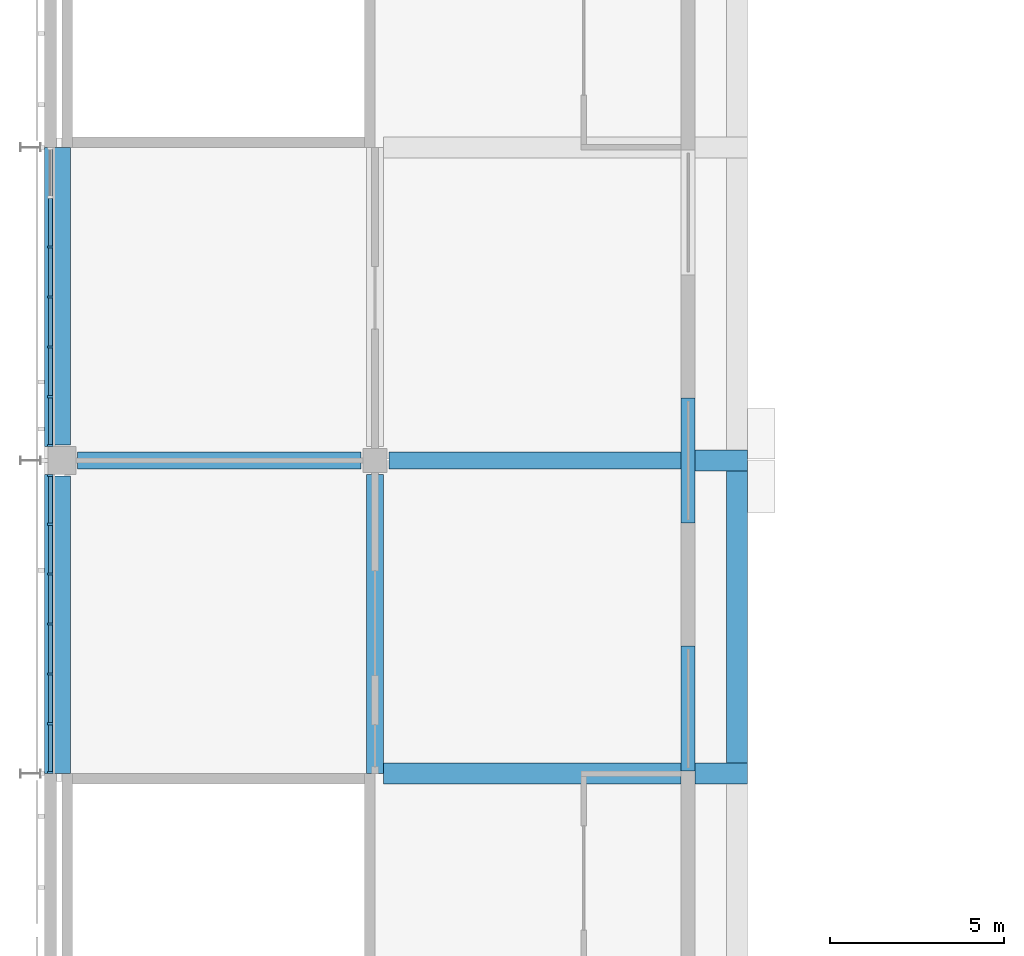
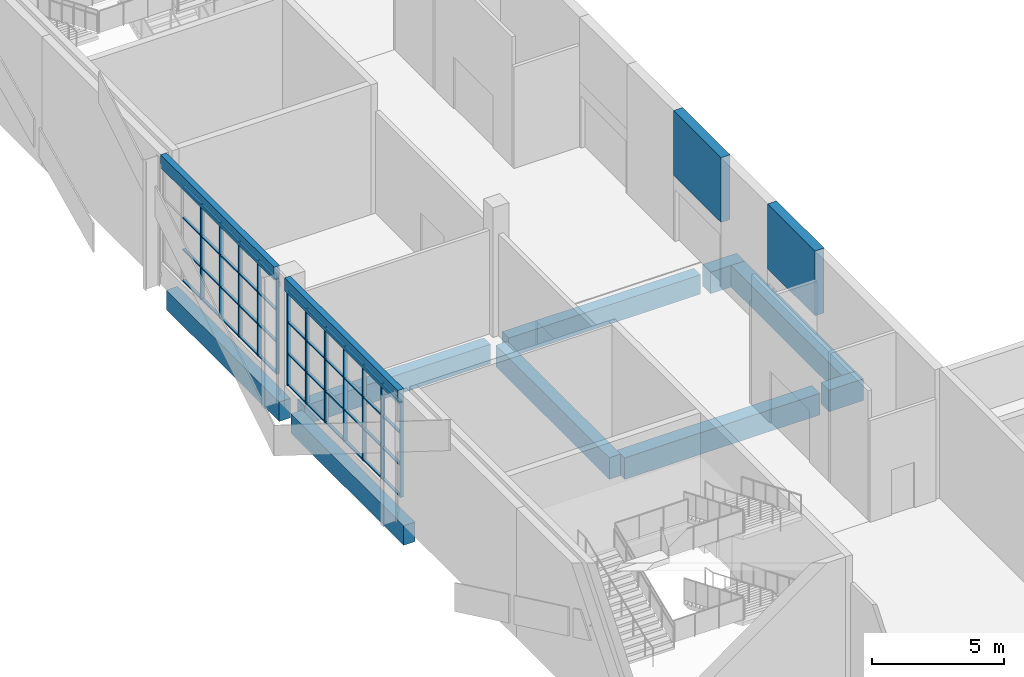
# One storey, part 14 of 89: 56 members, 13 beams, 2 elements without a shape of their own.
"""IFC4 building model written with IfcOpenShell, lengths in metres."""

from ifc_helpers import new_model, si_unit, direction, frame, origin, origin_2d, place, context, subcontext, project, spatial, rectangle, extrude, material, material_profile, profile_set, type_object, element, aggregate, save


model = new_model("IFC4")

# Units and contexts
model_context = context("Model", 3, precision=1e-05, world=origin(), true_north=direction((0.0, 1.0)))
body_context = subcontext(model_context, "Body", "Model", "MODEL_VIEW")
ifc_project = project(units=[si_unit("LENGTHUNIT", "METRE"), si_unit("AREAUNIT", "SQUARE_METRE"), si_unit("VOLUMEUNIT", "CUBIC_METRE"), si_unit("PLANEANGLEUNIT", "RADIAN"), si_unit("MASSUNIT", "GRAM", prefix="KILO")], contexts=[model_context])

# Site, building, storey
site_placement = place(None, origin())
site = spatial("IfcSite", under=ifc_project, at=site_placement, CompositionType="ELEMENT")
building_placement = place(site_placement, origin())
building = spatial("IfcBuilding", under=site, at=building_placement, Name="Silverbay Arena", CompositionType="ELEMENT")
storey_placement = place(building_placement, frame((0.0, 0.0, 22.0)))
storey = spatial("IfcBuildingStorey", under=building, at=storey_placement, Name="L03", CompositionType="ELEMENT", Elevation=22.0)

# Curtain wall, members
ifc_material_1 = material(Name="Aluminium framed curtain wall", Category="aluminium")
curtain_wall_type = type_object("IfcCurtainWallType", Name="Curtain wall 8600 x 4400", PredefinedType="NOTDEFINED", material=ifc_material_1)
curtain_wall_1_placement = place(storey_placement, origin())
curtain_wall_1 = element("IfcCurtainWall", 1, at=curtain_wall_1_placement, inside=storey, type_object=curtain_wall_type, Name="West curtain wall L03 bay 7", PredefinedType="NOTDEFINED")
ifc_material_2 = material(Name="Aluminium", Category="aluminium")
ifc_material_profile_1 = material_profile(ifc_material_2, rectangle(XDim=0.159912109375, YDim=0.06005859375, at=origin_2d()), Name="Mullion 60 x 160")
ifc_profile_set_1 = profile_set([ifc_material_profile_1], Name="Aluminium")
member_type_1 = type_object("IfcMemberType", Name="Mullion 60 x 160", PredefinedType="MULLION", material=ifc_profile_set_1)
member_1_placement = place(storey_placement, frame((53.669921875, 80.570068359375, 1.0), z_axis=(0.0, 0.0, 1.0), x_axis=(1.0, 0.0, 0.0)))
member_1 = element("IfcMember", 2, at=member_1_placement, type_object=member_type_1, Name="CW12 mullion 1", PredefinedType="MULLION", context=body_context, shape_type="SweptSolid", body=[
    extrude(rectangle(XDim=0.159912109375, YDim=0.06005859375, at=origin_2d()), origin(), (0.0, 0.0, 1.0), 4.39990234375),
])
member_2_placement = place(storey_placement, frame((53.669921875, 79.166748046875, 1.0), z_axis=(0.0, 0.0, 1.0), x_axis=(1.0, 0.0, 0.0)))
member_2 = element("IfcMember", 3, at=member_2_placement, type_object=member_type_1, Name="CW12 mullion 2", PredefinedType="MULLION", context=body_context, shape_type="SweptSolid", body=[
    extrude(rectangle(XDim=0.159912109375, YDim=0.06005859375, at=origin_2d()), origin(), (0.0, 0.0, 1.0), 4.39990234375),
])
member_3_placement = place(storey_placement, frame((53.669921875, 77.7333984375, 1.0), z_axis=(0.0, 0.0, 1.0), x_axis=(1.0, 0.0, 0.0)))
member_3 = element("IfcMember", 4, at=member_3_placement, type_object=member_type_1, Name="CW12 mullion 3", PredefinedType="MULLION", context=body_context, shape_type="SweptSolid", body=[
    extrude(rectangle(XDim=0.159912109375, YDim=0.06005859375, at=origin_2d()), origin(), (0.0, 0.0, 1.0), 4.39990234375),
])
member_4_placement = place(storey_placement, frame((53.669921875, 76.300048828125, 1.0), z_axis=(0.0, 0.0, 1.0), x_axis=(1.0, 0.0, 0.0)))
member_4 = element("IfcMember", 5, at=member_4_placement, type_object=member_type_1, Name="CW12 mullion 4", PredefinedType="MULLION", context=body_context, shape_type="SweptSolid", body=[
    extrude(rectangle(XDim=0.159912109375, YDim=0.06005859375, at=origin_2d()), origin(), (0.0, 0.0, 1.0), 4.39990234375),
])
member_5_placement = place(storey_placement, frame((53.669921875, 74.86669921875, 1.0), z_axis=(0.0, 0.0, 1.0), x_axis=(1.0, 0.0, 0.0)))
member_5 = element("IfcMember", 6, at=member_5_placement, type_object=member_type_1, Name="CW12 mullion 5", PredefinedType="MULLION", context=body_context, shape_type="SweptSolid", body=[
    extrude(rectangle(XDim=0.159912109375, YDim=0.06005859375, at=origin_2d()), origin(), (0.0, 0.0, 1.0), 4.39990234375),
])
member_6_placement = place(storey_placement, frame((53.669921875, 73.433349609375, 1.0), z_axis=(0.0, 0.0, 1.0), x_axis=(1.0, 0.0, 0.0)))
member_6 = element("IfcMember", 7, at=member_6_placement, type_object=member_type_1, Name="CW12 mullion 6", PredefinedType="MULLION", context=body_context, shape_type="SweptSolid", body=[
    extrude(rectangle(XDim=0.159912109375, YDim=0.06005859375, at=origin_2d()), origin(), (0.0, 0.0, 1.0), 4.39990234375),
])
member_7_placement = place(storey_placement, frame((53.669921875, 72.030029296875, 1.0), z_axis=(0.0, 0.0, 1.0), x_axis=(1.0, 0.0, 0.0)))
member_7 = element("IfcMember", 8, at=member_7_placement, type_object=member_type_1, Name="CW12 mullion 7", PredefinedType="MULLION", context=body_context, shape_type="SweptSolid", body=[
    extrude(rectangle(XDim=0.159912109375, YDim=0.06005859375, at=origin_2d()), origin(), (0.0, 0.0, 1.0), 4.39990234375),
])

curtain_wall_2_placement = place(storey_placement, origin())
curtain_wall_2 = element("IfcCurtainWall", 9, at=curtain_wall_2_placement, inside=storey, type_object=curtain_wall_type, Name="West curtain wall L03 bay 8", PredefinedType="NOTDEFINED")
member_8_placement = place(storey_placement, frame((53.669921875, 87.13330078125, 1.0), z_axis=(0.0, 0.0, 1.0), x_axis=(1.0, 0.0, 0.0)))
member_8 = element("IfcMember", 10, at=member_8_placement, type_object=member_type_1, Name="CW12 mullion 3", PredefinedType="MULLION", context=body_context, shape_type="SweptSolid", body=[
    extrude(rectangle(XDim=0.159912109375, YDim=0.06005859375, at=origin_2d()), origin(), (0.0, 0.0, 1.0), 4.39990234375),
])
member_9_placement = place(storey_placement, frame((53.669921875, 85.699951171875, 1.0), z_axis=(0.0, 0.0, 1.0), x_axis=(1.0, 0.0, 0.0)))
member_9 = element("IfcMember", 11, at=member_9_placement, type_object=member_type_1, Name="CW12 mullion 4", PredefinedType="MULLION", context=body_context, shape_type="SweptSolid", body=[
    extrude(rectangle(XDim=0.159912109375, YDim=0.06005859375, at=origin_2d()), origin(), (0.0, 0.0, 1.0), 4.39990234375),
])
member_10_placement = place(storey_placement, frame((53.669921875, 84.2666015625, 1.0), z_axis=(0.0, 0.0, 1.0), x_axis=(1.0, 0.0, 0.0)))
member_10 = element("IfcMember", 12, at=member_10_placement, type_object=member_type_1, Name="CW12 mullion 5", PredefinedType="MULLION", context=body_context, shape_type="SweptSolid", body=[
    extrude(rectangle(XDim=0.159912109375, YDim=0.06005859375, at=origin_2d()), origin(), (0.0, 0.0, 1.0), 4.39990234375),
])
member_11_placement = place(storey_placement, frame((53.669921875, 82.833251953125, 1.0), z_axis=(0.0, 0.0, 1.0), x_axis=(1.0, 0.0, 0.0)))
member_11 = element("IfcMember", 13, at=member_11_placement, type_object=member_type_1, Name="CW12 mullion 6", PredefinedType="MULLION", context=body_context, shape_type="SweptSolid", body=[
    extrude(rectangle(XDim=0.159912109375, YDim=0.06005859375, at=origin_2d()), origin(), (0.0, 0.0, 1.0), 4.39990234375),
])
member_12_placement = place(storey_placement, frame((53.669921875, 81.429931640625, 1.0), z_axis=(0.0, 0.0, 1.0), x_axis=(1.0, 0.0, 0.0)))
member_12 = element("IfcMember", 14, at=member_12_placement, type_object=member_type_1, Name="CW12 mullion 7", PredefinedType="MULLION", context=body_context, shape_type="SweptSolid", body=[
    extrude(rectangle(XDim=0.159912109375, YDim=0.06005859375, at=origin_2d()), origin(), (0.0, 0.0, 1.0), 4.39990234375),
])

# Beams
ifc_material_3 = material(Name="Concrete Grade C45", Category="concrete")
ifc_material_profile_2 = material_profile(ifc_material_3, rectangle(XDim=0.5, YDim=1.0, at=origin_2d()), Name="RC 500x1000")
ifc_profile_set_2 = profile_set([ifc_material_profile_2], Name="Concrete Grade C45")
beam_type_1 = type_object("IfcBeamType", Name="RC beam 500x1000", PredefinedType="BEAM", material=ifc_profile_set_2)
beam_1_placement = place(storey_placement, frame((63.0, 72.0, -0.85009765625), z_axis=(0.0, 1.0, 0.0), x_axis=(-1.0, 0.0, 0.0)))
element("IfcBeam", 15, at=beam_1_placement, inside=storey, type_object=beam_type_1, Name="Floor beam L03 094", PredefinedType="BEAM", context=body_context, shape_type="SweptSolid", body=[
    extrude(rectangle(XDim=0.5, YDim=1.0, at=origin_2d()), origin(), (0.0, 0.0, 1.0), 8.60009765625),
])
ifc_material_4 = material(Name="Concrete Grade C45", Category="concrete")
ifc_material_profile_3 = material_profile(ifc_material_4, rectangle(XDim=0.5, YDim=0.89990234375, at=origin_2d()), Name="RC 500x900")
ifc_profile_set_3 = profile_set([ifc_material_profile_3], Name="Concrete Grade C45")
beam_type_2 = type_object("IfcBeamType", Name="RC beam 500x900", PredefinedType="BEAM", material=ifc_profile_set_3)
beam_2_placement = place(storey_placement, frame((54.449951171875, 81.0, -0.800048828125), z_axis=(1.0, 0.0, 0.0), x_axis=(0.0, 1.0, 0.0)))
element("IfcBeam", 16, at=beam_2_placement, inside=storey, type_object=beam_type_2, Name="Floor beam L03 039", PredefinedType="BEAM", context=body_context, shape_type="SweptSolid", body=[
    extrude(rectangle(XDim=0.5, YDim=0.89990234375, at=origin_2d()), origin(), (0.0, 0.0, 1.0), 8.150146484375),
])
beam_3_placement = place(storey_placement, frame((63.39990234375, 81.0, -0.800048828125), z_axis=(1.0, 0.0, 0.0), x_axis=(0.0, 1.0, 0.0)))
element("IfcBeam", 17, at=beam_3_placement, inside=storey, type_object=beam_type_2, Name="Floor beam L03 040", PredefinedType="BEAM", context=body_context, shape_type="SweptSolid", body=[
    extrude(rectangle(XDim=0.5, YDim=0.89990234375, at=origin_2d()), origin(), (0.0, 0.0, 1.0), 8.400146484375),
])
for number, where, z_axis, x_axis, name in (
    (18, (54.0, 72.0, -0.800048828125), (0.0, 1.0, 0.0), (-1.0, 0.0, 0.0), "Floor beam L03 086"),
    (19, (54.0, 81.449951171875, -0.800048828125), (0.0, 1.0, 0.0), (-1.0, 0.0, 0.0), "Floor beam L03 087"),
):
    element("IfcBeam", number, at=place(storey_placement, frame(where, z_axis=z_axis, x_axis=x_axis)), inside=storey, type_object=beam_type_2, Name=name, PredefinedType="BEAM", context=body_context, shape_type="SweptSolid", body=[
        extrude(rectangle(XDim=0.5, YDim=0.89990234375, at=origin_2d()), origin(), (0.0, 0.0, 1.0), 8.550048828125),
    ])
ifc_material_5 = material(Name="Concrete Grade C45", Category="concrete")
ifc_material_profile_4 = material_profile(ifc_material_5, rectangle(XDim=0.60009765625, YDim=1.0, at=origin_2d()), Name="RC 600x1000")
ifc_profile_set_4 = profile_set([ifc_material_profile_4], Name="Concrete Grade C45")
beam_type_3 = type_object("IfcBeamType", Name="RC beam 600x1000", PredefinedType="BEAM", material=ifc_profile_set_4)
beam_4_placement = place(storey_placement, frame((63.25, 72.0, -0.85009765625), z_axis=(1.0, 0.0, 0.0), x_axis=(0.0, 1.0, 0.0)))
element("IfcBeam", 20, at=beam_4_placement, inside=storey, type_object=beam_type_3, Name="Floor beam L03 035", PredefinedType="BEAM", context=body_context, shape_type="SweptSolid", body=[
    extrude(rectangle(XDim=0.60009765625, YDim=1.0, at=origin_2d()), origin(), (0.0, 0.0, 1.0), 8.550048828125),
])
for number, where, z_axis, x_axis, name in (
    (21, (72.199951171875, 72.0, -0.85009765625), (1.0, 0.0, 0.0), (0.0, 1.0, 0.0), "Floor beam L03 036"),
    (22, (72.199951171875, 81.0, -0.85009765625), (1.0, 0.0, 0.0), (0.0, 1.0, 0.0), "Floor beam L03 041"),
):
    element("IfcBeam", number, at=place(storey_placement, frame(where, z_axis=z_axis, x_axis=x_axis)), inside=storey, type_object=beam_type_3, Name=name, PredefinedType="BEAM", context=body_context, shape_type="SweptSolid", body=[
        extrude(rectangle(XDim=0.60009765625, YDim=1.0, at=origin_2d()), origin(), (0.0, 0.0, 1.0), 1.5),
    ])
beam_5_placement = place(storey_placement, frame((73.39990234375, 72.300048828125, -0.85009765625), z_axis=(0.0, 1.0, 0.0), x_axis=(-1.0, 0.0, 0.0)))
element("IfcBeam", 23, at=beam_5_placement, inside=storey, type_object=beam_type_3, Name="Floor beam L03 194", PredefinedType="BEAM", context=body_context, shape_type="SweptSolid", body=[
    extrude(rectangle(XDim=0.60009765625, YDim=1.0, at=origin_2d()), origin(), (0.0, 0.0, 1.0), 8.39990234375),
])
ifc_material_6 = material(Name="Concrete Grade C45", Category="concrete")
ifc_material_profile_5 = material_profile(ifc_material_6, rectangle(XDim=0.25, YDim=0.60009765625, at=origin_2d()), Name="RC 250x600")
ifc_profile_set_5 = profile_set([ifc_material_profile_5], Name="Concrete Grade C45")
beam_type_4 = type_object("IfcBeamType", Name="RC facade beam 250x600", PredefinedType="SPANDREL", material=ifc_profile_set_5)
for number, where, z_axis, x_axis, name in (
    (24, (53.625, 72.0, 5.699951171875), (0.0, 1.0, 0.0), (-1.0, 0.0, 0.0), "Facade beam L03 west"),
    (25, (53.625, 81.39990234375, 5.699951171875), (0.0, 1.0, 0.0), (-1.0, 0.0, 0.0), "Facade beam L03 west"),
):
    element("IfcBeam", number, at=place(storey_placement, frame(where, z_axis=z_axis, x_axis=x_axis)), inside=storey, type_object=beam_type_4, Name=name, PredefinedType="SPANDREL", context=body_context, shape_type="SweptSolid", body=[
        extrude(rectangle(XDim=0.25, YDim=0.60009765625, at=origin_2d()), origin(), (0.0, 0.0, 1.0), 8.60009765625),
    ])
ifc_material_7 = material(Name="Concrete Grade C45", Category="concrete")
ifc_material_profile_6 = material_profile(ifc_material_7, rectangle(XDim=0.39990234375, YDim=3.0, at=origin_2d()), Name="RC 400x3000")
ifc_profile_set_6 = profile_set([ifc_material_profile_6], Name="Concrete Grade C45")
beam_type_5 = type_object("IfcBeamType", Name="RC lintel 400x3000", PredefinedType="BEAM", material=ifc_profile_set_6)
for number, where, z_axis, x_axis, name in (
    (26, (72.0, 79.199951171875, 4.5), (0.0, 1.0, 0.0), (-1.0, 0.0, 0.0), "Lintel over portal L03-W81"),
    (27, (72.0, 72.074951171875, 4.5), (0.0, 1.0, 0.0), (-1.0, 0.0, 0.0), "Lintel over portal L03-W739"),
):
    element("IfcBeam", number, at=place(storey_placement, frame(where, z_axis=z_axis, x_axis=x_axis)), inside=storey, type_object=beam_type_5, Name=name, PredefinedType="BEAM", context=body_context, shape_type="SweptSolid", body=[
        extrude(rectangle(XDim=0.39990234375, YDim=3.0, at=origin_2d()), origin(), (0.0, 0.0, 1.0), 3.60009765625),
    ])

# Member
ifc_material_8 = material(Name="Aluminium", Category="aluminium")
ifc_material_profile_7 = material_profile(ifc_material_8, rectangle(XDim=0.1201171875, YDim=0.050048828125, at=origin_2d()), Name="Transom 50 x 120")
ifc_profile_set_7 = profile_set([ifc_material_profile_7], Name="Aluminium")
member_type_2 = type_object("IfcMemberType", Name="Transom 50 x 120", PredefinedType="USERDEFINED", material=ifc_profile_set_7)
member_13_placement = place(storey_placement, frame((53.669921875, 80.5400390625, 1.02490234375), z_axis=(0.0, -1.0, 0.0), x_axis=(1.0, 0.0, 0.0)))
member_13 = element("IfcMember", 28, at=member_13_placement, type_object=member_type_2, Name="CW12 transom 1.1", ObjectType="TRANSOM", PredefinedType="USERDEFINED", context=body_context, shape_type="SweptSolid", body=[
    extrude(rectangle(XDim=0.1201171875, YDim=0.050048828125, at=origin_2d()), origin(), (0.0, 0.0, 1.0), 1.34326171875),
])

member_14_placement = place(storey_placement, frame((53.669921875, 80.5400390625, 2.466552734375), z_axis=(0.0, -1.0, 0.0), x_axis=(1.0, 0.0, 0.0)))
member_14 = element("IfcMember", 29, at=member_14_placement, type_object=member_type_2, Name="CW12 transom 1.2", ObjectType="TRANSOM", PredefinedType="USERDEFINED", context=body_context, shape_type="SweptSolid", body=[
    extrude(rectangle(XDim=0.1201171875, YDim=0.050048828125, at=origin_2d()), origin(), (0.0, 0.0, 1.0), 1.34326171875),
])

member_15_placement = place(storey_placement, frame((53.669921875, 80.5400390625, 3.933349609375), z_axis=(0.0, -1.0, 0.0), x_axis=(1.0, 0.0, 0.0)))
member_15 = element("IfcMember", 30, at=member_15_placement, type_object=member_type_2, Name="CW12 transom 1.3", ObjectType="TRANSOM", PredefinedType="USERDEFINED", context=body_context, shape_type="SweptSolid", body=[
    extrude(rectangle(XDim=0.1201171875, YDim=0.050048828125, at=origin_2d()), origin(), (0.0, 0.0, 1.0), 1.34326171875),
])

member_16_placement = place(storey_placement, frame((53.669921875, 80.5400390625, 5.375), z_axis=(0.0, -1.0, 0.0), x_axis=(1.0, 0.0, 0.0)))
member_16 = element("IfcMember", 31, at=member_16_placement, type_object=member_type_2, Name="CW12 transom 1.4", ObjectType="TRANSOM", PredefinedType="USERDEFINED", context=body_context, shape_type="SweptSolid", body=[
    extrude(rectangle(XDim=0.1201171875, YDim=0.050048828125, at=origin_2d()), origin(), (0.0, 0.0, 1.0), 1.34326171875),
])

member_17_placement = place(storey_placement, frame((53.669921875, 79.13671875, 1.02490234375), z_axis=(0.0, -1.0, 0.0), x_axis=(1.0, 0.0, 0.0)))
member_17 = element("IfcMember", 32, at=member_17_placement, type_object=member_type_2, Name="CW12 transom 2.1", ObjectType="TRANSOM", PredefinedType="USERDEFINED", context=body_context, shape_type="SweptSolid", body=[
    extrude(rectangle(XDim=0.1201171875, YDim=0.050048828125, at=origin_2d()), origin(), (0.0, 0.0, 1.0), 1.373291015625),
])

member_18_placement = place(storey_placement, frame((53.669921875, 79.13671875, 2.466552734375), z_axis=(0.0, -1.0, 0.0), x_axis=(1.0, 0.0, 0.0)))
member_18 = element("IfcMember", 33, at=member_18_placement, type_object=member_type_2, Name="CW12 transom 2.2", ObjectType="TRANSOM", PredefinedType="USERDEFINED", context=body_context, shape_type="SweptSolid", body=[
    extrude(rectangle(XDim=0.1201171875, YDim=0.050048828125, at=origin_2d()), origin(), (0.0, 0.0, 1.0), 1.373291015625),
])

member_19_placement = place(storey_placement, frame((53.669921875, 79.13671875, 3.933349609375), z_axis=(0.0, -1.0, 0.0), x_axis=(1.0, 0.0, 0.0)))
member_19 = element("IfcMember", 34, at=member_19_placement, type_object=member_type_2, Name="CW12 transom 2.3", ObjectType="TRANSOM", PredefinedType="USERDEFINED", context=body_context, shape_type="SweptSolid", body=[
    extrude(rectangle(XDim=0.1201171875, YDim=0.050048828125, at=origin_2d()), origin(), (0.0, 0.0, 1.0), 1.373291015625),
])

member_20_placement = place(storey_placement, frame((53.669921875, 79.13671875, 5.375), z_axis=(0.0, -1.0, 0.0), x_axis=(1.0, 0.0, 0.0)))
member_20 = element("IfcMember", 35, at=member_20_placement, type_object=member_type_2, Name="CW12 transom 2.4", ObjectType="TRANSOM", PredefinedType="USERDEFINED", context=body_context, shape_type="SweptSolid", body=[
    extrude(rectangle(XDim=0.1201171875, YDim=0.050048828125, at=origin_2d()), origin(), (0.0, 0.0, 1.0), 1.373291015625),
])

member_21_placement = place(storey_placement, frame((53.669921875, 77.703369140625, 1.02490234375), z_axis=(0.0, -1.0, 0.0), x_axis=(1.0, 0.0, 0.0)))
member_21 = element("IfcMember", 36, at=member_21_placement, type_object=member_type_2, Name="CW12 transom 3.1", ObjectType="TRANSOM", PredefinedType="USERDEFINED", context=body_context, shape_type="SweptSolid", body=[
    extrude(rectangle(XDim=0.1201171875, YDim=0.050048828125, at=origin_2d()), origin(), (0.0, 0.0, 1.0), 1.373291015625),
])

member_22_placement = place(storey_placement, frame((53.669921875, 77.703369140625, 2.466552734375), z_axis=(0.0, -1.0, 0.0), x_axis=(1.0, 0.0, 0.0)))
member_22 = element("IfcMember", 37, at=member_22_placement, type_object=member_type_2, Name="CW12 transom 3.2", ObjectType="TRANSOM", PredefinedType="USERDEFINED", context=body_context, shape_type="SweptSolid", body=[
    extrude(rectangle(XDim=0.1201171875, YDim=0.050048828125, at=origin_2d()), origin(), (0.0, 0.0, 1.0), 1.373291015625),
])

member_23_placement = place(storey_placement, frame((53.669921875, 77.703369140625, 3.933349609375), z_axis=(0.0, -1.0, 0.0), x_axis=(1.0, 0.0, 0.0)))
member_23 = element("IfcMember", 38, at=member_23_placement, type_object=member_type_2, Name="CW12 transom 3.3", ObjectType="TRANSOM", PredefinedType="USERDEFINED", context=body_context, shape_type="SweptSolid", body=[
    extrude(rectangle(XDim=0.1201171875, YDim=0.050048828125, at=origin_2d()), origin(), (0.0, 0.0, 1.0), 1.373291015625),
])

member_24_placement = place(storey_placement, frame((53.669921875, 77.703369140625, 5.375), z_axis=(0.0, -1.0, 0.0), x_axis=(1.0, 0.0, 0.0)))
member_24 = element("IfcMember", 39, at=member_24_placement, type_object=member_type_2, Name="CW12 transom 3.4", ObjectType="TRANSOM", PredefinedType="USERDEFINED", context=body_context, shape_type="SweptSolid", body=[
    extrude(rectangle(XDim=0.1201171875, YDim=0.050048828125, at=origin_2d()), origin(), (0.0, 0.0, 1.0), 1.373291015625),
])

member_25_placement = place(storey_placement, frame((53.669921875, 76.27001953125, 1.02490234375), z_axis=(0.0, -1.0, 0.0), x_axis=(1.0, 0.0, 0.0)))
member_25 = element("IfcMember", 40, at=member_25_placement, type_object=member_type_2, Name="CW12 transom 4.1", ObjectType="TRANSOM", PredefinedType="USERDEFINED", context=body_context, shape_type="SweptSolid", body=[
    extrude(rectangle(XDim=0.1201171875, YDim=0.050048828125, at=origin_2d()), origin(), (0.0, 0.0, 1.0), 1.373291015625),
])

member_26_placement = place(storey_placement, frame((53.669921875, 76.27001953125, 2.466552734375), z_axis=(0.0, -1.0, 0.0), x_axis=(1.0, 0.0, 0.0)))
member_26 = element("IfcMember", 41, at=member_26_placement, type_object=member_type_2, Name="CW12 transom 4.2", ObjectType="TRANSOM", PredefinedType="USERDEFINED", context=body_context, shape_type="SweptSolid", body=[
    extrude(rectangle(XDim=0.1201171875, YDim=0.050048828125, at=origin_2d()), origin(), (0.0, 0.0, 1.0), 1.373291015625),
])

member_27_placement = place(storey_placement, frame((53.669921875, 76.27001953125, 3.933349609375), z_axis=(0.0, -1.0, 0.0), x_axis=(1.0, 0.0, 0.0)))
member_27 = element("IfcMember", 42, at=member_27_placement, type_object=member_type_2, Name="CW12 transom 4.3", ObjectType="TRANSOM", PredefinedType="USERDEFINED", context=body_context, shape_type="SweptSolid", body=[
    extrude(rectangle(XDim=0.1201171875, YDim=0.050048828125, at=origin_2d()), origin(), (0.0, 0.0, 1.0), 1.373291015625),
])

member_28_placement = place(storey_placement, frame((53.669921875, 76.27001953125, 5.375), z_axis=(0.0, -1.0, 0.0), x_axis=(1.0, 0.0, 0.0)))
member_28 = element("IfcMember", 43, at=member_28_placement, type_object=member_type_2, Name="CW12 transom 4.4", ObjectType="TRANSOM", PredefinedType="USERDEFINED", context=body_context, shape_type="SweptSolid", body=[
    extrude(rectangle(XDim=0.1201171875, YDim=0.050048828125, at=origin_2d()), origin(), (0.0, 0.0, 1.0), 1.373291015625),
])

member_29_placement = place(storey_placement, frame((53.669921875, 74.836669921875, 1.02490234375), z_axis=(0.0, -1.0, 0.0), x_axis=(1.0, 0.0, 0.0)))
member_29 = element("IfcMember", 44, at=member_29_placement, type_object=member_type_2, Name="CW12 transom 5.1", ObjectType="TRANSOM", PredefinedType="USERDEFINED", context=body_context, shape_type="SweptSolid", body=[
    extrude(rectangle(XDim=0.1201171875, YDim=0.050048828125, at=origin_2d()), origin(), (0.0, 0.0, 1.0), 1.373291015625),
])

member_30_placement = place(storey_placement, frame((53.669921875, 74.836669921875, 2.466552734375), z_axis=(0.0, -1.0, 0.0), x_axis=(1.0, 0.0, 0.0)))
member_30 = element("IfcMember", 45, at=member_30_placement, type_object=member_type_2, Name="CW12 transom 5.2", ObjectType="TRANSOM", PredefinedType="USERDEFINED", context=body_context, shape_type="SweptSolid", body=[
    extrude(rectangle(XDim=0.1201171875, YDim=0.050048828125, at=origin_2d()), origin(), (0.0, 0.0, 1.0), 1.373291015625),
])

member_31_placement = place(storey_placement, frame((53.669921875, 74.836669921875, 3.933349609375), z_axis=(0.0, -1.0, 0.0), x_axis=(1.0, 0.0, 0.0)))
member_31 = element("IfcMember", 46, at=member_31_placement, type_object=member_type_2, Name="CW12 transom 5.3", ObjectType="TRANSOM", PredefinedType="USERDEFINED", context=body_context, shape_type="SweptSolid", body=[
    extrude(rectangle(XDim=0.1201171875, YDim=0.050048828125, at=origin_2d()), origin(), (0.0, 0.0, 1.0), 1.373291015625),
])

member_32_placement = place(storey_placement, frame((53.669921875, 74.836669921875, 5.375), z_axis=(0.0, -1.0, 0.0), x_axis=(1.0, 0.0, 0.0)))
member_32 = element("IfcMember", 47, at=member_32_placement, type_object=member_type_2, Name="CW12 transom 5.4", ObjectType="TRANSOM", PredefinedType="USERDEFINED", context=body_context, shape_type="SweptSolid", body=[
    extrude(rectangle(XDim=0.1201171875, YDim=0.050048828125, at=origin_2d()), origin(), (0.0, 0.0, 1.0), 1.373291015625),
])

member_33_placement = place(storey_placement, frame((53.669921875, 73.4033203125, 1.02490234375), z_axis=(0.0, -1.0, 0.0), x_axis=(1.0, 0.0, 0.0)))
member_33 = element("IfcMember", 48, at=member_33_placement, type_object=member_type_2, Name="CW12 transom 6.1", ObjectType="TRANSOM", PredefinedType="USERDEFINED", context=body_context, shape_type="SweptSolid", body=[
    extrude(rectangle(XDim=0.1201171875, YDim=0.050048828125, at=origin_2d()), origin(), (0.0, 0.0, 1.0), 1.34326171875),
])

member_34_placement = place(storey_placement, frame((53.669921875, 73.4033203125, 2.466552734375), z_axis=(0.0, -1.0, 0.0), x_axis=(1.0, 0.0, 0.0)))
member_34 = element("IfcMember", 49, at=member_34_placement, type_object=member_type_2, Name="CW12 transom 6.2", ObjectType="TRANSOM", PredefinedType="USERDEFINED", context=body_context, shape_type="SweptSolid", body=[
    extrude(rectangle(XDim=0.1201171875, YDim=0.050048828125, at=origin_2d()), origin(), (0.0, 0.0, 1.0), 1.34326171875),
])

member_35_placement = place(storey_placement, frame((53.669921875, 73.4033203125, 3.933349609375), z_axis=(0.0, -1.0, 0.0), x_axis=(1.0, 0.0, 0.0)))
member_35 = element("IfcMember", 50, at=member_35_placement, type_object=member_type_2, Name="CW12 transom 6.3", ObjectType="TRANSOM", PredefinedType="USERDEFINED", context=body_context, shape_type="SweptSolid", body=[
    extrude(rectangle(XDim=0.1201171875, YDim=0.050048828125, at=origin_2d()), origin(), (0.0, 0.0, 1.0), 1.34326171875),
])

member_36_placement = place(storey_placement, frame((53.669921875, 73.4033203125, 5.375), z_axis=(0.0, -1.0, 0.0), x_axis=(1.0, 0.0, 0.0)))
member_36 = element("IfcMember", 51, at=member_36_placement, type_object=member_type_2, Name="CW12 transom 6.4", ObjectType="TRANSOM", PredefinedType="USERDEFINED", context=body_context, shape_type="SweptSolid", body=[
    extrude(rectangle(XDim=0.1201171875, YDim=0.050048828125, at=origin_2d()), origin(), (0.0, 0.0, 1.0), 1.34326171875),
])

aggregate(curtain_wall_1, [member_1, member_2, member_3, member_4, member_5, member_6, member_7, member_13, member_14, member_15, member_16, member_17, member_18, member_19, member_20, member_21, member_22, member_23, member_24, member_25, member_26, member_27, member_28, member_29, member_30, member_31, member_32, member_33, member_34, member_35, member_36])

member_37_placement = place(storey_placement, frame((53.669921875, 88.53662109375, 1.02490234375), z_axis=(0.0, -1.0, 0.0), x_axis=(1.0, 0.0, 0.0)))
member_37 = element("IfcMember", 52, at=member_37_placement, type_object=member_type_2, Name="CW12 transom 2.1", ObjectType="TRANSOM", PredefinedType="USERDEFINED", context=body_context, shape_type="SweptSolid", body=[
    extrude(rectangle(XDim=0.1201171875, YDim=0.050048828125, at=origin_2d()), origin(), (0.0, 0.0, 1.0), 1.373291015625),
])

member_38_placement = place(storey_placement, frame((53.669921875, 88.53662109375, 2.466552734375), z_axis=(0.0, -1.0, 0.0), x_axis=(1.0, 0.0, 0.0)))
member_38 = element("IfcMember", 53, at=member_38_placement, type_object=member_type_2, Name="CW12 transom 2.2", ObjectType="TRANSOM", PredefinedType="USERDEFINED", context=body_context, shape_type="SweptSolid", body=[
    extrude(rectangle(XDim=0.1201171875, YDim=0.050048828125, at=origin_2d()), origin(), (0.0, 0.0, 1.0), 1.373291015625),
])

member_39_placement = place(storey_placement, frame((53.669921875, 88.53662109375, 3.933349609375), z_axis=(0.0, -1.0, 0.0), x_axis=(1.0, 0.0, 0.0)))
member_39 = element("IfcMember", 54, at=member_39_placement, type_object=member_type_2, Name="CW12 transom 2.3", ObjectType="TRANSOM", PredefinedType="USERDEFINED", context=body_context, shape_type="SweptSolid", body=[
    extrude(rectangle(XDim=0.1201171875, YDim=0.050048828125, at=origin_2d()), origin(), (0.0, 0.0, 1.0), 1.373291015625),
])

member_40_placement = place(storey_placement, frame((53.669921875, 88.53662109375, 5.375), z_axis=(0.0, -1.0, 0.0), x_axis=(1.0, 0.0, 0.0)))
member_40 = element("IfcMember", 55, at=member_40_placement, type_object=member_type_2, Name="CW12 transom 2.4", ObjectType="TRANSOM", PredefinedType="USERDEFINED", context=body_context, shape_type="SweptSolid", body=[
    extrude(rectangle(XDim=0.1201171875, YDim=0.050048828125, at=origin_2d()), origin(), (0.0, 0.0, 1.0), 1.373291015625),
])

member_41_placement = place(storey_placement, frame((53.669921875, 87.103271484375, 1.02490234375), z_axis=(0.0, -1.0, 0.0), x_axis=(1.0, 0.0, 0.0)))
member_41 = element("IfcMember", 56, at=member_41_placement, type_object=member_type_2, Name="CW12 transom 3.1", ObjectType="TRANSOM", PredefinedType="USERDEFINED", context=body_context, shape_type="SweptSolid", body=[
    extrude(rectangle(XDim=0.1201171875, YDim=0.050048828125, at=origin_2d()), origin(), (0.0, 0.0, 1.0), 1.373291015625),
])

member_42_placement = place(storey_placement, frame((53.669921875, 87.103271484375, 2.466552734375), z_axis=(0.0, -1.0, 0.0), x_axis=(1.0, 0.0, 0.0)))
member_42 = element("IfcMember", 57, at=member_42_placement, type_object=member_type_2, Name="CW12 transom 3.2", ObjectType="TRANSOM", PredefinedType="USERDEFINED", context=body_context, shape_type="SweptSolid", body=[
    extrude(rectangle(XDim=0.1201171875, YDim=0.050048828125, at=origin_2d()), origin(), (0.0, 0.0, 1.0), 1.373291015625),
])

member_43_placement = place(storey_placement, frame((53.669921875, 87.103271484375, 3.933349609375), z_axis=(0.0, -1.0, 0.0), x_axis=(1.0, 0.0, 0.0)))
member_43 = element("IfcMember", 58, at=member_43_placement, type_object=member_type_2, Name="CW12 transom 3.3", ObjectType="TRANSOM", PredefinedType="USERDEFINED", context=body_context, shape_type="SweptSolid", body=[
    extrude(rectangle(XDim=0.1201171875, YDim=0.050048828125, at=origin_2d()), origin(), (0.0, 0.0, 1.0), 1.373291015625),
])

member_44_placement = place(storey_placement, frame((53.669921875, 87.103271484375, 5.375), z_axis=(0.0, -1.0, 0.0), x_axis=(1.0, 0.0, 0.0)))
member_44 = element("IfcMember", 59, at=member_44_placement, type_object=member_type_2, Name="CW12 transom 3.4", ObjectType="TRANSOM", PredefinedType="USERDEFINED", context=body_context, shape_type="SweptSolid", body=[
    extrude(rectangle(XDim=0.1201171875, YDim=0.050048828125, at=origin_2d()), origin(), (0.0, 0.0, 1.0), 1.373291015625),
])

member_45_placement = place(storey_placement, frame((53.669921875, 85.669921875, 1.02490234375), z_axis=(0.0, -1.0, 0.0), x_axis=(1.0, 0.0, 0.0)))
member_45 = element("IfcMember", 60, at=member_45_placement, type_object=member_type_2, Name="CW12 transom 4.1", ObjectType="TRANSOM", PredefinedType="USERDEFINED", context=body_context, shape_type="SweptSolid", body=[
    extrude(rectangle(XDim=0.1201171875, YDim=0.050048828125, at=origin_2d()), origin(), (0.0, 0.0, 1.0), 1.373291015625),
])

member_46_placement = place(storey_placement, frame((53.669921875, 85.669921875, 2.466552734375), z_axis=(0.0, -1.0, 0.0), x_axis=(1.0, 0.0, 0.0)))
member_46 = element("IfcMember", 61, at=member_46_placement, type_object=member_type_2, Name="CW12 transom 4.2", ObjectType="TRANSOM", PredefinedType="USERDEFINED", context=body_context, shape_type="SweptSolid", body=[
    extrude(rectangle(XDim=0.1201171875, YDim=0.050048828125, at=origin_2d()), origin(), (0.0, 0.0, 1.0), 1.373291015625),
])

member_47_placement = place(storey_placement, frame((53.669921875, 85.669921875, 3.933349609375), z_axis=(0.0, -1.0, 0.0), x_axis=(1.0, 0.0, 0.0)))
member_47 = element("IfcMember", 62, at=member_47_placement, type_object=member_type_2, Name="CW12 transom 4.3", ObjectType="TRANSOM", PredefinedType="USERDEFINED", context=body_context, shape_type="SweptSolid", body=[
    extrude(rectangle(XDim=0.1201171875, YDim=0.050048828125, at=origin_2d()), origin(), (0.0, 0.0, 1.0), 1.373291015625),
])

member_48_placement = place(storey_placement, frame((53.669921875, 85.669921875, 5.375), z_axis=(0.0, -1.0, 0.0), x_axis=(1.0, 0.0, 0.0)))
member_48 = element("IfcMember", 63, at=member_48_placement, type_object=member_type_2, Name="CW12 transom 4.4", ObjectType="TRANSOM", PredefinedType="USERDEFINED", context=body_context, shape_type="SweptSolid", body=[
    extrude(rectangle(XDim=0.1201171875, YDim=0.050048828125, at=origin_2d()), origin(), (0.0, 0.0, 1.0), 1.373291015625),
])

member_49_placement = place(storey_placement, frame((53.669921875, 84.236572265625, 1.02490234375), z_axis=(0.0, -1.0, 0.0), x_axis=(1.0, 0.0, 0.0)))
member_49 = element("IfcMember", 64, at=member_49_placement, type_object=member_type_2, Name="CW12 transom 5.1", ObjectType="TRANSOM", PredefinedType="USERDEFINED", context=body_context, shape_type="SweptSolid", body=[
    extrude(rectangle(XDim=0.1201171875, YDim=0.050048828125, at=origin_2d()), origin(), (0.0, 0.0, 1.0), 1.373291015625),
])

member_50_placement = place(storey_placement, frame((53.669921875, 84.236572265625, 2.466552734375), z_axis=(0.0, -1.0, 0.0), x_axis=(1.0, 0.0, 0.0)))
member_50 = element("IfcMember", 65, at=member_50_placement, type_object=member_type_2, Name="CW12 transom 5.2", ObjectType="TRANSOM", PredefinedType="USERDEFINED", context=body_context, shape_type="SweptSolid", body=[
    extrude(rectangle(XDim=0.1201171875, YDim=0.050048828125, at=origin_2d()), origin(), (0.0, 0.0, 1.0), 1.373291015625),
])

member_51_placement = place(storey_placement, frame((53.669921875, 84.236572265625, 3.933349609375), z_axis=(0.0, -1.0, 0.0), x_axis=(1.0, 0.0, 0.0)))
member_51 = element("IfcMember", 66, at=member_51_placement, type_object=member_type_2, Name="CW12 transom 5.3", ObjectType="TRANSOM", PredefinedType="USERDEFINED", context=body_context, shape_type="SweptSolid", body=[
    extrude(rectangle(XDim=0.1201171875, YDim=0.050048828125, at=origin_2d()), origin(), (0.0, 0.0, 1.0), 1.373291015625),
])

member_52_placement = place(storey_placement, frame((53.669921875, 84.236572265625, 5.375), z_axis=(0.0, -1.0, 0.0), x_axis=(1.0, 0.0, 0.0)))
member_52 = element("IfcMember", 67, at=member_52_placement, type_object=member_type_2, Name="CW12 transom 5.4", ObjectType="TRANSOM", PredefinedType="USERDEFINED", context=body_context, shape_type="SweptSolid", body=[
    extrude(rectangle(XDim=0.1201171875, YDim=0.050048828125, at=origin_2d()), origin(), (0.0, 0.0, 1.0), 1.373291015625),
])

member_53_placement = place(storey_placement, frame((53.669921875, 82.80322265625, 1.02490234375), z_axis=(0.0, -1.0, 0.0), x_axis=(1.0, 0.0, 0.0)))
member_53 = element("IfcMember", 68, at=member_53_placement, type_object=member_type_2, Name="CW12 transom 6.1", ObjectType="TRANSOM", PredefinedType="USERDEFINED", context=body_context, shape_type="SweptSolid", body=[
    extrude(rectangle(XDim=0.1201171875, YDim=0.050048828125, at=origin_2d()), origin(), (0.0, 0.0, 1.0), 1.34326171875),
])

member_54_placement = place(storey_placement, frame((53.669921875, 82.80322265625, 2.466552734375), z_axis=(0.0, -1.0, 0.0), x_axis=(1.0, 0.0, 0.0)))
member_54 = element("IfcMember", 69, at=member_54_placement, type_object=member_type_2, Name="CW12 transom 6.2", ObjectType="TRANSOM", PredefinedType="USERDEFINED", context=body_context, shape_type="SweptSolid", body=[
    extrude(rectangle(XDim=0.1201171875, YDim=0.050048828125, at=origin_2d()), origin(), (0.0, 0.0, 1.0), 1.34326171875),
])

member_55_placement = place(storey_placement, frame((53.669921875, 82.80322265625, 3.933349609375), z_axis=(0.0, -1.0, 0.0), x_axis=(1.0, 0.0, 0.0)))
member_55 = element("IfcMember", 70, at=member_55_placement, type_object=member_type_2, Name="CW12 transom 6.3", ObjectType="TRANSOM", PredefinedType="USERDEFINED", context=body_context, shape_type="SweptSolid", body=[
    extrude(rectangle(XDim=0.1201171875, YDim=0.050048828125, at=origin_2d()), origin(), (0.0, 0.0, 1.0), 1.34326171875),
])

member_56_placement = place(storey_placement, frame((53.669921875, 82.80322265625, 5.375), z_axis=(0.0, -1.0, 0.0), x_axis=(1.0, 0.0, 0.0)))
member_56 = element("IfcMember", 71, at=member_56_placement, type_object=member_type_2, Name="CW12 transom 6.4", ObjectType="TRANSOM", PredefinedType="USERDEFINED", context=body_context, shape_type="SweptSolid", body=[
    extrude(rectangle(XDim=0.1201171875, YDim=0.050048828125, at=origin_2d()), origin(), (0.0, 0.0, 1.0), 1.34326171875),
])

aggregate(curtain_wall_2, [member_8, member_9, member_10, member_11, member_12, member_37, member_38, member_39, member_40, member_41, member_42, member_43, member_44, member_45, member_46, member_47, member_48, member_49, member_50, member_51, member_52, member_53, member_54, member_55, member_56])

save(model, "model.ifc")
